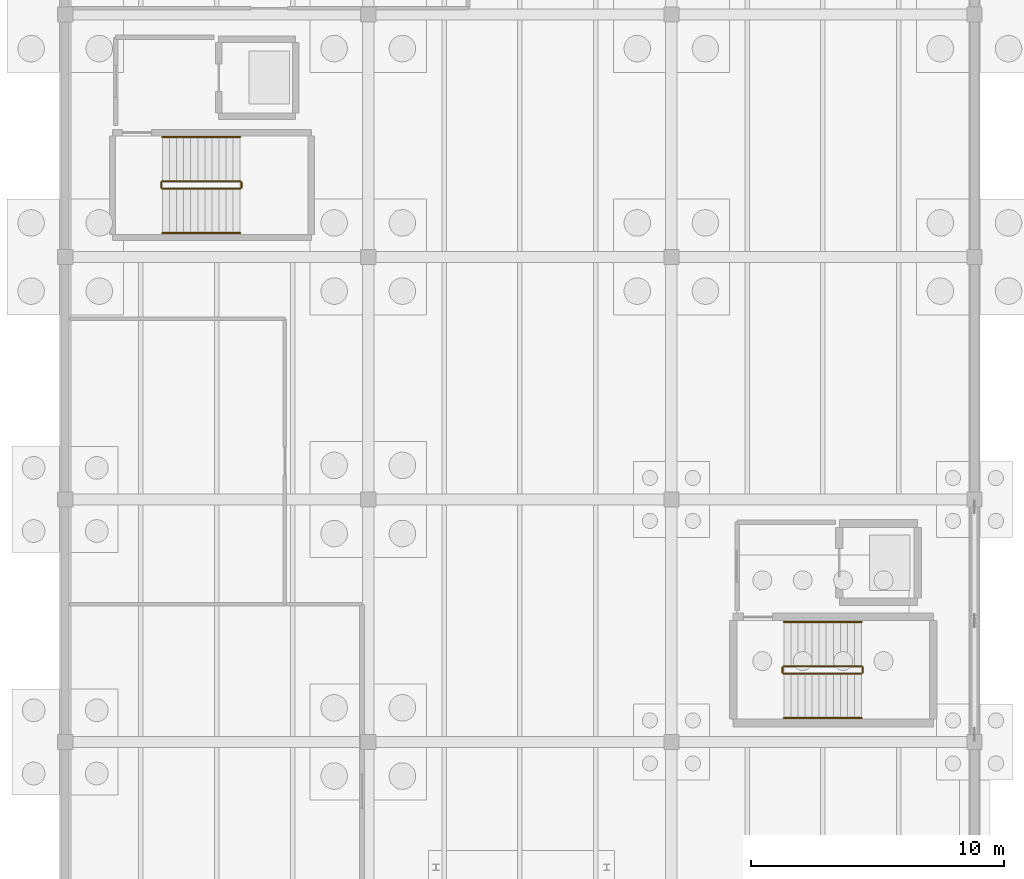
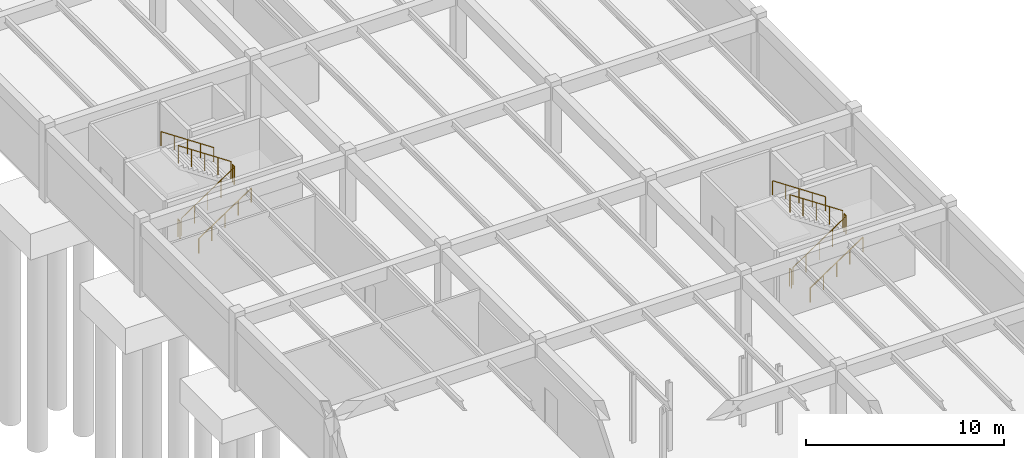
# One storey, part 15 of 20: 12 railings.
"""IFC4 building model written with IfcOpenShell, lengths in metres."""

from ifc_helpers import new_model, si_unit, direction, frame, origin, origin_2d, place, context, subcontext, project, spatial, circle, extrude, material, type_object, element, save


model = new_model("IFC4")

# Units and contexts
model_context = context("Model", 3, precision=1e-05, world=origin(), true_north=direction((0.0, 1.0)))
body_context = subcontext(model_context, "Body", "Model", "MODEL_VIEW")
ifc_project = project(units=[si_unit("LENGTHUNIT", "METRE"), si_unit("AREAUNIT", "SQUARE_METRE"), si_unit("VOLUMEUNIT", "CUBIC_METRE"), si_unit("PLANEANGLEUNIT", "RADIAN"), si_unit("MASSUNIT", "GRAM", prefix="KILO")], contexts=[model_context])

# Site, building, storey
site_placement = place(None, origin())
site = spatial("IfcSite", under=ifc_project, at=site_placement, CompositionType="ELEMENT")
building_placement = place(site_placement, origin())
building = spatial("IfcBuilding", under=site, at=building_placement, Name="Pandanus Reach Market Hall", CompositionType="ELEMENT")
storey_placement = place(building_placement, frame((0.0, 0.0, -4.5)))
storey = spatial("IfcBuildingStorey", under=building, at=storey_placement, Name="B1", CompositionType="ELEMENT", Elevation=-4.5)

# Railings
ifc_material_1 = material(Name="Galvanised steel Grade 350 (350 MPa)", Category="steel")
railing_type_1 = type_object("IfcRailingType", Name="GR-INT-110", PredefinedType="GUARDRAIL", material=ifc_material_1)
railing_1_placement = place(storey_placement, frame((172.449951171875, 31.5, 0.1875)))
element("IfcRailing", 1, at=railing_1_placement, inside=storey, type_object=railing_type_1, Name="Stair guard ST-01 B1.1", PredefinedType="GUARDRAIL", context=body_context, shape_type="SweptSolid", body=[
    extrude(circle(Radius=0.02392578125, at=origin_2d()), frame((0.0, 0.0, 1.076171875), z_axis=(0.830913701846, 0.0, 0.55640131208), x_axis=(0.0, 1.0, 0.0)), (0.0, 0.0, 1.0), 3.706787109375),
    extrude(circle(Radius=0.02099609375, at=origin_2d()), origin(), (0.0, 0.0, 1.0), 1.052001953125),
    extrude(circle(Radius=0.02099609375, at=origin_2d()), frame((0.77001953125, 0.0, 0.515625)), (0.0, 0.0, 1.0), 1.052001953125),
    extrude(circle(Radius=0.02099609375, at=origin_2d()), frame((1.5400390625, 0.0, 1.03125)), (0.0, 0.0, 1.0), 1.052001953125),
    extrude(circle(Radius=0.02099609375, at=origin_2d()), frame((2.31005859375, 0.0, 1.546875)), (0.0, 0.0, 1.0), 1.052001953125),
    extrude(circle(Radius=0.02099609375, at=origin_2d()), frame((3.080078125, 0.0, 2.0625)), (0.0, 0.0, 1.0), 1.052001953125),
])
railing_2_placement = place(storey_placement, frame((175.580078125, 31.550048828125, 2.25)))
element("IfcRailing", 2, at=railing_2_placement, inside=storey, type_object=railing_type_1, Name="Stair guard ST-01 B1.2", PredefinedType="GUARDRAIL", context=body_context, shape_type="SweptSolid", body=[
    extrude(circle(Radius=0.02392578125, at=origin_2d()), frame((0.0, 0.0, 1.076171875), z_axis=(0.0, 1.0, 0.0), x_axis=(-1.0, 0.0, 0.0)), (0.0, 0.0, 1.0), 0.199951171875),
    extrude(circle(Radius=0.02099609375, at=origin_2d()), origin(), (0.0, 0.0, 1.0), 1.052001953125),
    extrude(circle(Radius=0.02099609375, at=origin_2d()), frame((0.0, 0.199951171875, 0.0)), (0.0, 0.0, 1.0), 1.052001953125),
])
railing_3_placement = place(storey_placement, frame((175.530029296875, 31.800048828125, 2.4375)))
element("IfcRailing", 3, at=railing_3_placement, inside=storey, type_object=railing_type_1, Name="Stair guard ST-01 B1.3", PredefinedType="GUARDRAIL", context=body_context, shape_type="SweptSolid", body=[
    extrude(circle(Radius=0.02392578125, at=origin_2d()), frame((0.0, 0.0, 1.076171875), z_axis=(-0.830913701846, 0.0, 0.55640131208), x_axis=(0.0, -1.0, 0.0)), (0.0, 0.0, 1.0), 3.706787109375),
    extrude(circle(Radius=0.02099609375, at=origin_2d()), origin(), (0.0, 0.0, 1.0), 1.052001953125),
    extrude(circle(Radius=0.02099609375, at=origin_2d()), frame((-0.77001953125, 0.0, 0.515625)), (0.0, 0.0, 1.0), 1.052001953125),
    extrude(circle(Radius=0.02099609375, at=origin_2d()), frame((-1.5400390625, 0.0, 1.03125)), (0.0, 0.0, 1.0), 1.052001953125),
    extrude(circle(Radius=0.02099609375, at=origin_2d()), frame((-2.31005859375, 0.0, 1.546875)), (0.0, 0.0, 1.0), 1.052001953125),
    extrude(circle(Radius=0.02099609375, at=origin_2d()), frame((-3.080078125, 0.0, 2.0625)), (0.0, 0.0, 1.0), 1.052001953125),
])
railing_4_placement = place(storey_placement, frame((172.39990234375, 31.550048828125, 0.0)))
element("IfcRailing", 4, at=railing_4_placement, inside=storey, type_object=railing_type_1, Name="Stair guard ST-01 B1.4", PredefinedType="GUARDRAIL", context=body_context, shape_type="SweptSolid", body=[
    extrude(circle(Radius=0.02392578125, at=origin_2d()), frame((0.0, 0.0, 1.076171875), z_axis=(0.0, 1.0, 0.0), x_axis=(-1.0, 0.0, 0.0)), (0.0, 0.0, 1.0), 0.199951171875),
    extrude(circle(Radius=0.02099609375, at=origin_2d()), origin(), (0.0, 0.0, 1.0), 1.052001953125),
    extrude(circle(Radius=0.02099609375, at=origin_2d()), frame((0.0, 0.199951171875, 0.0)), (0.0, 0.0, 1.0), 1.052001953125),
])
railing_5_placement = place(storey_placement, frame((147.85009765625, 50.699951171875, 0.1875)))
element("IfcRailing", 5, at=railing_5_placement, inside=storey, type_object=railing_type_1, Name="Stair guard ST-03 B1.63", PredefinedType="GUARDRAIL", context=body_context, shape_type="SweptSolid", body=[
    extrude(circle(Radius=0.02392578125, at=origin_2d()), frame((0.0, 0.0, 1.076171875), z_axis=(0.830893310487, 0.0, 0.556431762742), x_axis=(0.0, 1.0, 0.0)), (0.0, 0.0, 1.0), 3.70654296875),
    extrude(circle(Radius=0.02099609375, at=origin_2d()), origin(), (0.0, 0.0, 1.0), 1.052001953125),
    extrude(circle(Radius=0.02099609375, at=origin_2d()), frame((0.77001953125, 0.0, 0.515625)), (0.0, 0.0, 1.0), 1.052001953125),
    extrude(circle(Radius=0.02099609375, at=origin_2d()), frame((1.5400390625, 0.0, 1.03125)), (0.0, 0.0, 1.0), 1.052001953125),
    extrude(circle(Radius=0.02099609375, at=origin_2d()), frame((2.309814453125, 0.0, 1.546875)), (0.0, 0.0, 1.0), 1.052001953125),
    extrude(circle(Radius=0.02099609375, at=origin_2d()), frame((3.079833984375, 0.0, 2.0625)), (0.0, 0.0, 1.0), 1.052001953125),
])
railing_6_placement = place(storey_placement, frame((150.97998046875, 50.75, 2.25)))
element("IfcRailing", 6, at=railing_6_placement, inside=storey, type_object=railing_type_1, Name="Stair guard ST-03 B1.64", PredefinedType="GUARDRAIL", context=body_context, shape_type="SweptSolid", body=[
    extrude(circle(Radius=0.02392578125, at=origin_2d()), frame((0.0, 0.0, 1.076171875), z_axis=(0.0, 1.0, 0.0), x_axis=(-1.0, 0.0, 0.0)), (0.0, 0.0, 1.0), 0.199951171875),
    extrude(circle(Radius=0.02099609375, at=origin_2d()), origin(), (0.0, 0.0, 1.0), 1.052001953125),
    extrude(circle(Radius=0.02099609375, at=origin_2d()), frame((0.0, 0.199951171875, 0.0)), (0.0, 0.0, 1.0), 1.052001953125),
])
railing_7_placement = place(storey_placement, frame((150.929931640625, 51.0, 2.4375)))
element("IfcRailing", 7, at=railing_7_placement, inside=storey, type_object=railing_type_1, Name="Stair guard ST-03 B1.65", PredefinedType="GUARDRAIL", context=body_context, shape_type="SweptSolid", body=[
    extrude(circle(Radius=0.02392578125, at=origin_2d()), frame((0.0, 0.0, 1.076171875), z_axis=(-0.830893310487, 0.0, 0.556431762742), x_axis=(0.0, -1.0, 0.0)), (0.0, 0.0, 1.0), 3.70654296875),
    extrude(circle(Radius=0.02099609375, at=origin_2d()), origin(), (0.0, 0.0, 1.0), 1.052001953125),
    extrude(circle(Radius=0.02099609375, at=origin_2d()), frame((-0.77001953125, 0.0, 0.515625)), (0.0, 0.0, 1.0), 1.052001953125),
    extrude(circle(Radius=0.02099609375, at=origin_2d()), frame((-1.5400390625, 0.0, 1.03125)), (0.0, 0.0, 1.0), 1.052001953125),
    extrude(circle(Radius=0.02099609375, at=origin_2d()), frame((-2.309814453125, 0.0, 1.546875)), (0.0, 0.0, 1.0), 1.052001953125),
    extrude(circle(Radius=0.02099609375, at=origin_2d()), frame((-3.079833984375, 0.0, 2.0625)), (0.0, 0.0, 1.0), 1.052001953125),
])
railing_8_placement = place(storey_placement, frame((147.800048828125, 50.75, 0.0)))
element("IfcRailing", 8, at=railing_8_placement, inside=storey, type_object=railing_type_1, Name="Stair guard ST-03 B1.66", PredefinedType="GUARDRAIL", context=body_context, shape_type="SweptSolid", body=[
    extrude(circle(Radius=0.02392578125, at=origin_2d()), frame((0.0, 0.0, 1.076171875), z_axis=(0.0, 1.0, 0.0), x_axis=(-1.0, 0.0, 0.0)), (0.0, 0.0, 1.0), 0.199951171875),
    extrude(circle(Radius=0.02099609375, at=origin_2d()), origin(), (0.0, 0.0, 1.0), 1.052001953125),
    extrude(circle(Radius=0.02099609375, at=origin_2d()), frame((0.0, 0.199951171875, 0.0)), (0.0, 0.0, 1.0), 1.052001953125),
])
ifc_material_2 = material(Name="Brushed stainless steel", Category="steel")
railing_type_2 = type_object("IfcRailingType", Name="HR-WAL-090", PredefinedType="HANDRAIL", material=ifc_material_2)
railing_9_placement = place(storey_placement, frame((172.449951171875, 29.75, 0.1875)))
element("IfcRailing", 9, at=railing_9_placement, inside=storey, type_object=railing_type_2, Name="Stair handrail ST-01 B1.5", PredefinedType="HANDRAIL", context=body_context, shape_type="SweptSolid", body=[
    extrude(circle(Radius=0.02392578125, at=origin_2d()), frame((0.0, 0.0, 0.8759765625), z_axis=(0.830913701846, 0.0, 0.55640131208), x_axis=(0.0, 1.0, 0.0)), (0.0, 0.0, 1.0), 3.706787109375),
    extrude(circle(Radius=0.02099609375, at=origin_2d()), origin(), (0.0, 0.0, 1.0), 0.851806640625),
    extrude(circle(Radius=0.02099609375, at=origin_2d()), frame((0.77001953125, 0.0, 0.515625)), (0.0, 0.0, 1.0), 0.851806640625),
    extrude(circle(Radius=0.02099609375, at=origin_2d()), frame((1.5400390625, 0.0, 1.03125)), (0.0, 0.0, 1.0), 0.851806640625),
    extrude(circle(Radius=0.02099609375, at=origin_2d()), frame((2.31005859375, 0.0, 1.546875)), (0.0, 0.0, 1.0), 0.851806640625),
    extrude(circle(Radius=0.02099609375, at=origin_2d()), frame((3.080078125, 0.0, 2.0625)), (0.0, 0.0, 1.0), 0.851806640625),
])
railing_10_placement = place(storey_placement, frame((175.530029296875, 33.550048828125, 2.4375)))
element("IfcRailing", 10, at=railing_10_placement, inside=storey, type_object=railing_type_2, Name="Stair handrail ST-01 B1.6", PredefinedType="HANDRAIL", context=body_context, shape_type="SweptSolid", body=[
    extrude(circle(Radius=0.02392578125, at=origin_2d()), frame((0.0, 0.0, 0.8759765625), z_axis=(-0.830913701846, 0.0, 0.55640131208), x_axis=(0.0, -1.0, 0.0)), (0.0, 0.0, 1.0), 3.706787109375),
    extrude(circle(Radius=0.02099609375, at=origin_2d()), origin(), (0.0, 0.0, 1.0), 0.851806640625),
    extrude(circle(Radius=0.02099609375, at=origin_2d()), frame((-0.77001953125, 0.0, 0.515625)), (0.0, 0.0, 1.0), 0.851806640625),
    extrude(circle(Radius=0.02099609375, at=origin_2d()), frame((-1.5400390625, 0.0, 1.03125)), (0.0, 0.0, 1.0), 0.851806640625),
    extrude(circle(Radius=0.02099609375, at=origin_2d()), frame((-2.31005859375, 0.0, 1.546875)), (0.0, 0.0, 1.0), 0.851806640625),
    extrude(circle(Radius=0.02099609375, at=origin_2d()), frame((-3.080078125, 0.0, 2.0625)), (0.0, 0.0, 1.0), 0.851806640625),
])
railing_11_placement = place(storey_placement, frame((147.85009765625, 48.949951171875, 0.1875)))
element("IfcRailing", 11, at=railing_11_placement, inside=storey, type_object=railing_type_2, Name="Stair handrail ST-03 B1.67", PredefinedType="HANDRAIL", context=body_context, shape_type="SweptSolid", body=[
    extrude(circle(Radius=0.02392578125, at=origin_2d()), frame((0.0, 0.0, 0.8759765625), z_axis=(0.830893310487, 0.0, 0.556431762742), x_axis=(0.0, 1.0, 0.0)), (0.0, 0.0, 1.0), 3.70654296875),
    extrude(circle(Radius=0.02099609375, at=origin_2d()), origin(), (0.0, 0.0, 1.0), 0.851806640625),
    extrude(circle(Radius=0.02099609375, at=origin_2d()), frame((0.77001953125, 0.0, 0.515625)), (0.0, 0.0, 1.0), 0.851806640625),
    extrude(circle(Radius=0.02099609375, at=origin_2d()), frame((1.5400390625, 0.0, 1.03125)), (0.0, 0.0, 1.0), 0.851806640625),
    extrude(circle(Radius=0.02099609375, at=origin_2d()), frame((2.309814453125, 0.0, 1.546875)), (0.0, 0.0, 1.0), 0.851806640625),
    extrude(circle(Radius=0.02099609375, at=origin_2d()), frame((3.079833984375, 0.0, 2.0625)), (0.0, 0.0, 1.0), 0.851806640625),
])
railing_12_placement = place(storey_placement, frame((150.929931640625, 52.75, 2.4375)))
element("IfcRailing", 12, at=railing_12_placement, inside=storey, type_object=railing_type_2, Name="Stair handrail ST-03 B1.68", PredefinedType="HANDRAIL", context=body_context, shape_type="SweptSolid", body=[
    extrude(circle(Radius=0.02392578125, at=origin_2d()), frame((0.0, 0.0, 0.8759765625), z_axis=(-0.830893310487, 0.0, 0.556431762742), x_axis=(0.0, -1.0, 0.0)), (0.0, 0.0, 1.0), 3.70654296875),
    extrude(circle(Radius=0.02099609375, at=origin_2d()), origin(), (0.0, 0.0, 1.0), 0.851806640625),
    extrude(circle(Radius=0.02099609375, at=origin_2d()), frame((-0.77001953125, 0.0, 0.515625)), (0.0, 0.0, 1.0), 0.851806640625),
    extrude(circle(Radius=0.02099609375, at=origin_2d()), frame((-1.5400390625, 0.0, 1.03125)), (0.0, 0.0, 1.0), 0.851806640625),
    extrude(circle(Radius=0.02099609375, at=origin_2d()), frame((-2.309814453125, 0.0, 1.546875)), (0.0, 0.0, 1.0), 0.851806640625),
    extrude(circle(Radius=0.02099609375, at=origin_2d()), frame((-3.079833984375, 0.0, 2.0625)), (0.0, 0.0, 1.0), 0.851806640625),
])

save(model, "model.ifc")
